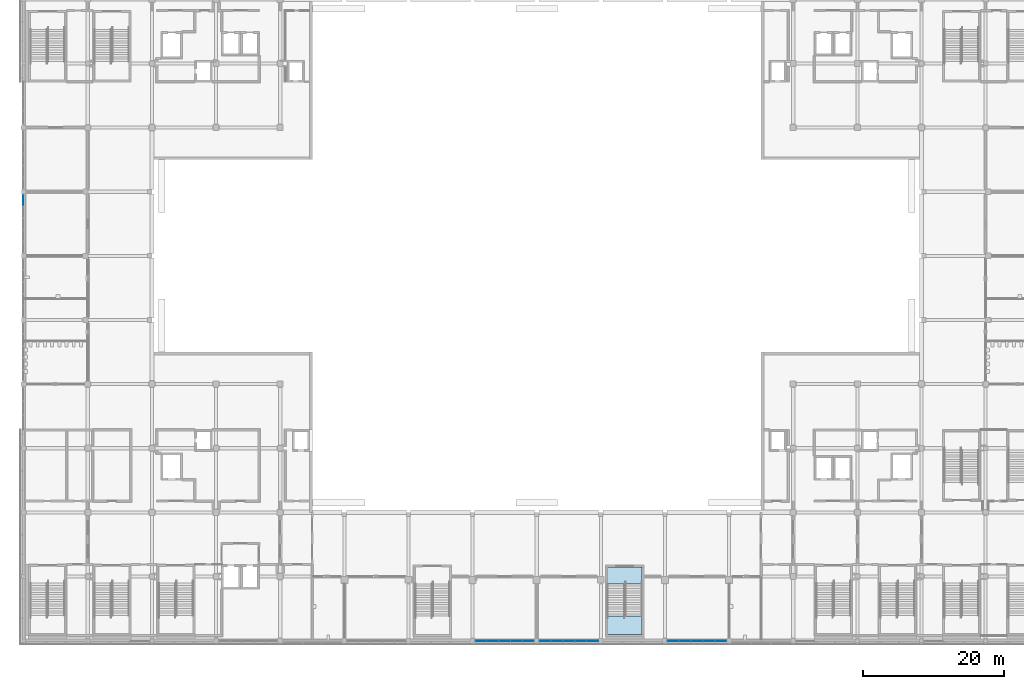
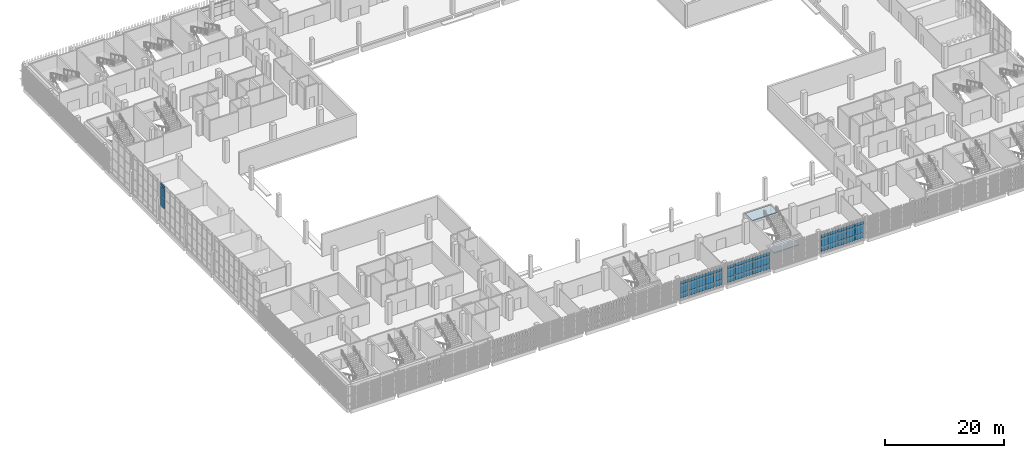
# One storey, part 65 of 126: 48 plates, 2 slabs, 5 elements without a shape of their own.
"""IFC4 building model written with IfcOpenShell, lengths in metres."""

from ifc_helpers import new_model, si_unit, direction, frame, origin, origin_2d, place, context, subcontext, project, spatial, polyline, rectangle, outline, extrude, material, layer, layer_set, type_object, element, aggregate, save


model = new_model("IFC4")

# Units and contexts
model_context = context("Model", 3, precision=1e-05, world=origin(), true_north=direction((0.0, 1.0)))
body_context = subcontext(model_context, "Body", "Model", "MODEL_VIEW")
ifc_project = project(units=[si_unit("LENGTHUNIT", "METRE"), si_unit("AREAUNIT", "SQUARE_METRE"), si_unit("VOLUMEUNIT", "CUBIC_METRE"), si_unit("PLANEANGLEUNIT", "RADIAN"), si_unit("MASSUNIT", "GRAM", prefix="KILO")], contexts=[model_context])

# Site, building, storey
site_placement = place(None, origin())
site = spatial("IfcSite", under=ifc_project, at=site_placement, CompositionType="ELEMENT")
building_placement = place(site_placement, origin())
building = spatial("IfcBuilding", under=site, at=building_placement, Name="Shirokan Park Arena", CompositionType="ELEMENT")
storey_placement = place(building_placement, frame((0.0, 0.0, 6.3701171875)))
storey = spatial("IfcBuildingStorey", under=building, at=storey_placement, Name="L01", CompositionType="ELEMENT", Elevation=6.3701171875)

# Curtain wall, plates
ifc_material_1 = material(Name="Steel and glass curtain wall", Category="steel")
ifc_layer_1 = layer(ifc_material_1, 0.14990234375)
ifc_layer_set_1 = layer_set([ifc_layer_1], Name="Steel and glass curtain wall 150 mm")
curtain_wall_type_1 = type_object("IfcCurtainWallType", Name="Curtain wall exposed bay 150", PredefinedType="NOTDEFINED", material=ifc_layer_set_1)
curtain_wall_1_placement = place(storey_placement, origin())
curtain_wall_1 = element("IfcCurtainWall", 1, at=curtain_wall_1_placement, inside=storey, type_object=curtain_wall_type_1, Name="Curtain wall south bay 8 L01", PredefinedType="NOTDEFINED")
ifc_material_2 = material(Name="Aluminium sheet", Category="aluminium")
ifc_layer_2 = layer(ifc_material_2, 0.0029296875, Name="Aluminium sheet")
ifc_material_3 = material(Name="Mineral wool insulation")
ifc_layer_3 = layer(ifc_material_3, 0.053955078125, Name="Mineral wool insulation")
ifc_layer_4 = layer(ifc_material_2, 0.0029296875, Name="Aluminium sheet")
ifc_layer_set_2 = layer_set([ifc_layer_2, ifc_layer_3, ifc_layer_4], Name="Aluminium sheet + Mineral wool insulation")
plate_type_1 = type_object("IfcPlateType", Name="Insulated spandrel panel 60", PredefinedType="CURTAIN_PANEL", material=ifc_layer_set_2)
plate_1_placement = place(storey_placement, frame((64.907470703125, -0.074951171875, 2.86962890625), z_axis=(0.0, 0.0, 1.0), x_axis=(1.0, 0.0, 0.0)))
plate_1 = element("IfcPlate", 2, at=plate_1_placement, type_object=plate_type_1, Name="CW1 panel 1.3", PredefinedType="CURTAIN_PANEL", context=body_context, shape_type="SweptSolid", body=[
    extrude(rectangle(XDim=1.56494140625, YDim=0.06005859375, at=origin_2d()), origin(), (0.0, 0.0, 1.0), 0.590087890625),
])
plate_2_placement = place(storey_placement, frame((66.56005859375, -0.074951171875, 2.86962890625), z_axis=(0.0, 0.0, 1.0), x_axis=(1.0, 0.0, 0.0)))
plate_2 = element("IfcPlate", 3, at=plate_2_placement, type_object=plate_type_1, Name="CW1 panel 2.3", PredefinedType="CURTAIN_PANEL", context=body_context, shape_type="SweptSolid", body=[
    extrude(rectangle(XDim=1.639892578125, YDim=0.06005859375, at=origin_2d()), origin(), (0.0, 0.0, 1.0), 0.590087890625),
])
plate_3_placement = place(storey_placement, frame((68.25, -0.074951171875, 2.86962890625), z_axis=(0.0, 0.0, 1.0), x_axis=(1.0, 0.0, 0.0)))
plate_3 = element("IfcPlate", 4, at=plate_3_placement, type_object=plate_type_1, Name="CW1 panel 3.3", PredefinedType="CURTAIN_PANEL", context=body_context, shape_type="SweptSolid", body=[
    extrude(rectangle(XDim=1.639892578125, YDim=0.06005859375, at=origin_2d()), origin(), (0.0, 0.0, 1.0), 0.590087890625),
])
plate_4_placement = place(storey_placement, frame((69.93994140625, -0.074951171875, 2.86962890625), z_axis=(0.0, 0.0, 1.0), x_axis=(1.0, 0.0, 0.0)))
plate_4 = element("IfcPlate", 5, at=plate_4_placement, type_object=plate_type_1, Name="CW1 panel 4.3", PredefinedType="CURTAIN_PANEL", context=body_context, shape_type="SweptSolid", body=[
    extrude(rectangle(XDim=1.639892578125, YDim=0.06005859375, at=origin_2d()), origin(), (0.0, 0.0, 1.0), 0.590087890625),
])
plate_5_placement = place(storey_placement, frame((71.592529296875, -0.074951171875, 2.86962890625), z_axis=(0.0, 0.0, 1.0), x_axis=(1.0, 0.0, 0.0)))
plate_5 = element("IfcPlate", 6, at=plate_5_placement, type_object=plate_type_1, Name="CW1 panel 5.3", PredefinedType="CURTAIN_PANEL", context=body_context, shape_type="SweptSolid", body=[
    extrude(rectangle(XDim=1.56494140625, YDim=0.06005859375, at=origin_2d()), origin(), (0.0, 0.0, 1.0), 0.590087890625),
])

curtain_wall_2_placement = place(storey_placement, origin())
curtain_wall_2 = element("IfcCurtainWall", 7, at=curtain_wall_2_placement, inside=storey, type_object=curtain_wall_type_1, Name="Curtain wall south bay 9 L01", PredefinedType="NOTDEFINED")
plate_6_placement = place(storey_placement, frame((74.010009765625, -0.074951171875, 2.86962890625), z_axis=(0.0, 0.0, 1.0), x_axis=(1.0, 0.0, 0.0)))
plate_6 = element("IfcPlate", 8, at=plate_6_placement, type_object=plate_type_1, Name="CW1 panel 1.3", PredefinedType="CURTAIN_PANEL", context=body_context, shape_type="SweptSolid", body=[
    extrude(rectangle(XDim=1.570068359375, YDim=0.06005859375, at=origin_2d()), origin(), (0.0, 0.0, 1.0), 0.590087890625),
])
plate_7_placement = place(storey_placement, frame((75.66748046875, -0.074951171875, 2.86962890625), z_axis=(0.0, 0.0, 1.0), x_axis=(1.0, 0.0, 0.0)))
plate_7 = element("IfcPlate", 9, at=plate_7_placement, type_object=plate_type_1, Name="CW1 panel 2.3", PredefinedType="CURTAIN_PANEL", context=body_context, shape_type="SweptSolid", body=[
    extrude(rectangle(XDim=1.64501953125, YDim=0.06005859375, at=origin_2d()), origin(), (0.0, 0.0, 1.0), 0.590087890625),
])
plate_8_placement = place(storey_placement, frame((77.362548828125, -0.074951171875, 2.86962890625), z_axis=(0.0, 0.0, 1.0), x_axis=(1.0, 0.0, 0.0)))
plate_8 = element("IfcPlate", 10, at=plate_8_placement, type_object=plate_type_1, Name="CW1 panel 3.3", PredefinedType="CURTAIN_PANEL", context=body_context, shape_type="SweptSolid", body=[
    extrude(rectangle(XDim=1.64501953125, YDim=0.06005859375, at=origin_2d()), origin(), (0.0, 0.0, 1.0), 0.590087890625),
])
plate_9_placement = place(storey_placement, frame((79.0576171875, -0.074951171875, 2.86962890625), z_axis=(0.0, 0.0, 1.0), x_axis=(1.0, 0.0, 0.0)))
plate_9 = element("IfcPlate", 11, at=plate_9_placement, type_object=plate_type_1, Name="CW1 panel 4.3", PredefinedType="CURTAIN_PANEL", context=body_context, shape_type="SweptSolid", body=[
    extrude(rectangle(XDim=1.64501953125, YDim=0.06005859375, at=origin_2d()), origin(), (0.0, 0.0, 1.0), 0.590087890625),
])
plate_10_placement = place(storey_placement, frame((80.715087890625, -0.074951171875, 2.86962890625), z_axis=(0.0, 0.0, 1.0), x_axis=(1.0, 0.0, 0.0)))
plate_10 = element("IfcPlate", 12, at=plate_10_placement, type_object=plate_type_1, Name="CW1 panel 5.3", PredefinedType="CURTAIN_PANEL", context=body_context, shape_type="SweptSolid", body=[
    extrude(rectangle(XDim=1.570068359375, YDim=0.06005859375, at=origin_2d()), origin(), (0.0, 0.0, 1.0), 0.590087890625),
])

curtain_wall_3_placement = place(storey_placement, origin())
curtain_wall_3 = element("IfcCurtainWall", 13, at=curtain_wall_3_placement, inside=storey, type_object=curtain_wall_type_1, Name="Curtain wall south bay 11 L01", PredefinedType="NOTDEFINED")
plate_11_placement = place(storey_placement, frame((92.20751953125, -0.074951171875, 2.86962890625), z_axis=(0.0, 0.0, 1.0), x_axis=(1.0, 0.0, 0.0)))
plate_11 = element("IfcPlate", 14, at=plate_11_placement, type_object=plate_type_1, Name="CW1 panel 1.3", PredefinedType="CURTAIN_PANEL", context=body_context, shape_type="SweptSolid", body=[
    extrude(rectangle(XDim=1.56494140625, YDim=0.06005859375, at=origin_2d()), origin(), (0.0, 0.0, 1.0), 0.590087890625),
])
plate_12_placement = place(storey_placement, frame((93.860107421875, -0.074951171875, 2.86962890625), z_axis=(0.0, 0.0, 1.0), x_axis=(1.0, 0.0, 0.0)))
plate_12 = element("IfcPlate", 15, at=plate_12_placement, type_object=plate_type_1, Name="CW1 panel 2.3", PredefinedType="CURTAIN_PANEL", context=body_context, shape_type="SweptSolid", body=[
    extrude(rectangle(XDim=1.639892578125, YDim=0.06005859375, at=origin_2d()), origin(), (0.0, 0.0, 1.0), 0.590087890625),
])
plate_13_placement = place(storey_placement, frame((95.550048828125, -0.074951171875, 2.86962890625), z_axis=(0.0, 0.0, 1.0), x_axis=(1.0, 0.0, 0.0)))
plate_13 = element("IfcPlate", 16, at=plate_13_placement, type_object=plate_type_1, Name="CW1 panel 3.3", PredefinedType="CURTAIN_PANEL", context=body_context, shape_type="SweptSolid", body=[
    extrude(rectangle(XDim=1.639892578125, YDim=0.06005859375, at=origin_2d()), origin(), (0.0, 0.0, 1.0), 0.590087890625),
])
plate_14_placement = place(storey_placement, frame((97.239990234375, -0.074951171875, 2.86962890625), z_axis=(0.0, 0.0, 1.0), x_axis=(1.0, 0.0, 0.0)))
plate_14 = element("IfcPlate", 17, at=plate_14_placement, type_object=plate_type_1, Name="CW1 panel 4.3", PredefinedType="CURTAIN_PANEL", context=body_context, shape_type="SweptSolid", body=[
    extrude(rectangle(XDim=1.639892578125, YDim=0.06005859375, at=origin_2d()), origin(), (0.0, 0.0, 1.0), 0.590087890625),
])
plate_15_placement = place(storey_placement, frame((98.892578125, -0.074951171875, 2.86962890625), z_axis=(0.0, 0.0, 1.0), x_axis=(1.0, 0.0, 0.0)))
plate_15 = element("IfcPlate", 18, at=plate_15_placement, type_object=plate_type_1, Name="CW1 panel 5.3", PredefinedType="CURTAIN_PANEL", context=body_context, shape_type="SweptSolid", body=[
    extrude(rectangle(XDim=1.56494140625, YDim=0.06005859375, at=origin_2d()), origin(), (0.0, 0.0, 1.0), 0.590087890625),
])

# Plate
ifc_material_4 = material(Name="Toughened glass", Category="glass")
ifc_layer_5 = layer(ifc_material_4, 0.012939453125, Name="Toughened glass")
ifc_material_5 = material(Name="Interlayer film")
ifc_layer_6 = layer(ifc_material_5, 0.001953125, Name="Interlayer film")
ifc_layer_7 = layer(ifc_material_4, 0.012939453125, Name="Toughened glass")
ifc_layer_set_3 = layer_set([ifc_layer_5, ifc_layer_6, ifc_layer_7], Name="Toughened glass + Interlayer film")
plate_type_2 = type_object("IfcPlateType", Name="Laminated glass panel 28", PredefinedType="CURTAIN_PANEL", material=ifc_layer_set_3)
plate_16_placement = place(storey_placement, frame((64.907470703125, -0.074951171875, 1.119873046875), z_axis=(0.0, 0.0, 1.0), x_axis=(1.0, 0.0, 0.0)))
plate_16 = element("IfcPlate", 19, at=plate_16_placement, type_object=plate_type_2, Name="CW1 panel 1.2", PredefinedType="CURTAIN_PANEL", context=body_context, shape_type="SweptSolid", body=[
    extrude(rectangle(XDim=1.56494140625, YDim=0.028076171875, at=origin_2d()), origin(), (0.0, 0.0, 1.0), 1.7099609375),
])

plate_17_placement = place(storey_placement, frame((66.56005859375, -0.074951171875, 1.119873046875), z_axis=(0.0, 0.0, 1.0), x_axis=(1.0, 0.0, 0.0)))
plate_17 = element("IfcPlate", 20, at=plate_17_placement, type_object=plate_type_2, Name="CW1 panel 2.2", PredefinedType="CURTAIN_PANEL", context=body_context, shape_type="SweptSolid", body=[
    extrude(rectangle(XDim=1.639892578125, YDim=0.028076171875, at=origin_2d()), origin(), (0.0, 0.0, 1.0), 1.7099609375),
])

plate_18_placement = place(storey_placement, frame((68.25, -0.074951171875, 1.119873046875), z_axis=(0.0, 0.0, 1.0), x_axis=(1.0, 0.0, 0.0)))
plate_18 = element("IfcPlate", 21, at=plate_18_placement, type_object=plate_type_2, Name="CW1 panel 3.2", PredefinedType="CURTAIN_PANEL", context=body_context, shape_type="SweptSolid", body=[
    extrude(rectangle(XDim=1.639892578125, YDim=0.028076171875, at=origin_2d()), origin(), (0.0, 0.0, 1.0), 1.7099609375),
])

plate_19_placement = place(storey_placement, frame((69.93994140625, -0.074951171875, 1.119873046875), z_axis=(0.0, 0.0, 1.0), x_axis=(1.0, 0.0, 0.0)))
plate_19 = element("IfcPlate", 22, at=plate_19_placement, type_object=plate_type_2, Name="CW1 panel 4.2", PredefinedType="CURTAIN_PANEL", context=body_context, shape_type="SweptSolid", body=[
    extrude(rectangle(XDim=1.639892578125, YDim=0.028076171875, at=origin_2d()), origin(), (0.0, 0.0, 1.0), 1.7099609375),
])

plate_20_placement = place(storey_placement, frame((71.592529296875, -0.074951171875, 1.119873046875), z_axis=(0.0, 0.0, 1.0), x_axis=(1.0, 0.0, 0.0)))
plate_20 = element("IfcPlate", 23, at=plate_20_placement, type_object=plate_type_2, Name="CW1 panel 5.2", PredefinedType="CURTAIN_PANEL", context=body_context, shape_type="SweptSolid", body=[
    extrude(rectangle(XDim=1.56494140625, YDim=0.028076171875, at=origin_2d()), origin(), (0.0, 0.0, 1.0), 1.7099609375),
])

plate_21_placement = place(storey_placement, frame((74.010009765625, -0.074951171875, 1.119873046875), z_axis=(0.0, 0.0, 1.0), x_axis=(1.0, 0.0, 0.0)))
plate_21 = element("IfcPlate", 24, at=plate_21_placement, type_object=plate_type_2, Name="CW1 panel 1.2", PredefinedType="CURTAIN_PANEL", context=body_context, shape_type="SweptSolid", body=[
    extrude(rectangle(XDim=1.570068359375, YDim=0.028076171875, at=origin_2d()), origin(), (0.0, 0.0, 1.0), 1.7099609375),
])

plate_22_placement = place(storey_placement, frame((75.66748046875, -0.074951171875, 1.119873046875), z_axis=(0.0, 0.0, 1.0), x_axis=(1.0, 0.0, 0.0)))
plate_22 = element("IfcPlate", 25, at=plate_22_placement, type_object=plate_type_2, Name="CW1 panel 2.2", PredefinedType="CURTAIN_PANEL", context=body_context, shape_type="SweptSolid", body=[
    extrude(rectangle(XDim=1.64501953125, YDim=0.028076171875, at=origin_2d()), origin(), (0.0, 0.0, 1.0), 1.7099609375),
])

plate_23_placement = place(storey_placement, frame((77.362548828125, -0.074951171875, 1.119873046875), z_axis=(0.0, 0.0, 1.0), x_axis=(1.0, 0.0, 0.0)))
plate_23 = element("IfcPlate", 26, at=plate_23_placement, type_object=plate_type_2, Name="CW1 panel 3.2", PredefinedType="CURTAIN_PANEL", context=body_context, shape_type="SweptSolid", body=[
    extrude(rectangle(XDim=1.64501953125, YDim=0.028076171875, at=origin_2d()), origin(), (0.0, 0.0, 1.0), 1.7099609375),
])

plate_24_placement = place(storey_placement, frame((79.0576171875, -0.074951171875, 1.119873046875), z_axis=(0.0, 0.0, 1.0), x_axis=(1.0, 0.0, 0.0)))
plate_24 = element("IfcPlate", 27, at=plate_24_placement, type_object=plate_type_2, Name="CW1 panel 4.2", PredefinedType="CURTAIN_PANEL", context=body_context, shape_type="SweptSolid", body=[
    extrude(rectangle(XDim=1.64501953125, YDim=0.028076171875, at=origin_2d()), origin(), (0.0, 0.0, 1.0), 1.7099609375),
])

plate_25_placement = place(storey_placement, frame((80.715087890625, -0.074951171875, 1.119873046875), z_axis=(0.0, 0.0, 1.0), x_axis=(1.0, 0.0, 0.0)))
plate_25 = element("IfcPlate", 28, at=plate_25_placement, type_object=plate_type_2, Name="CW1 panel 5.2", PredefinedType="CURTAIN_PANEL", context=body_context, shape_type="SweptSolid", body=[
    extrude(rectangle(XDim=1.570068359375, YDim=0.028076171875, at=origin_2d()), origin(), (0.0, 0.0, 1.0), 1.7099609375),
])

plate_26_placement = place(storey_placement, frame((92.20751953125, -0.074951171875, 1.119873046875), z_axis=(0.0, 0.0, 1.0), x_axis=(1.0, 0.0, 0.0)))
plate_26 = element("IfcPlate", 29, at=plate_26_placement, type_object=plate_type_2, Name="CW1 panel 1.2", PredefinedType="CURTAIN_PANEL", context=body_context, shape_type="SweptSolid", body=[
    extrude(rectangle(XDim=1.56494140625, YDim=0.028076171875, at=origin_2d()), origin(), (0.0, 0.0, 1.0), 1.7099609375),
])

plate_27_placement = place(storey_placement, frame((93.860107421875, -0.074951171875, 1.119873046875), z_axis=(0.0, 0.0, 1.0), x_axis=(1.0, 0.0, 0.0)))
plate_27 = element("IfcPlate", 30, at=plate_27_placement, type_object=plate_type_2, Name="CW1 panel 2.2", PredefinedType="CURTAIN_PANEL", context=body_context, shape_type="SweptSolid", body=[
    extrude(rectangle(XDim=1.639892578125, YDim=0.028076171875, at=origin_2d()), origin(), (0.0, 0.0, 1.0), 1.7099609375),
])

plate_28_placement = place(storey_placement, frame((95.550048828125, -0.074951171875, 1.119873046875), z_axis=(0.0, 0.0, 1.0), x_axis=(1.0, 0.0, 0.0)))
plate_28 = element("IfcPlate", 31, at=plate_28_placement, type_object=plate_type_2, Name="CW1 panel 3.2", PredefinedType="CURTAIN_PANEL", context=body_context, shape_type="SweptSolid", body=[
    extrude(rectangle(XDim=1.639892578125, YDim=0.028076171875, at=origin_2d()), origin(), (0.0, 0.0, 1.0), 1.7099609375),
])

plate_29_placement = place(storey_placement, frame((97.239990234375, -0.074951171875, 1.119873046875), z_axis=(0.0, 0.0, 1.0), x_axis=(1.0, 0.0, 0.0)))
plate_29 = element("IfcPlate", 32, at=plate_29_placement, type_object=plate_type_2, Name="CW1 panel 4.2", PredefinedType="CURTAIN_PANEL", context=body_context, shape_type="SweptSolid", body=[
    extrude(rectangle(XDim=1.639892578125, YDim=0.028076171875, at=origin_2d()), origin(), (0.0, 0.0, 1.0), 1.7099609375),
])

plate_30_placement = place(storey_placement, frame((98.892578125, -0.074951171875, 1.119873046875), z_axis=(0.0, 0.0, 1.0), x_axis=(1.0, 0.0, 0.0)))
plate_30 = element("IfcPlate", 33, at=plate_30_placement, type_object=plate_type_2, Name="CW1 panel 5.2", PredefinedType="CURTAIN_PANEL", context=body_context, shape_type="SweptSolid", body=[
    extrude(rectangle(XDim=1.56494140625, YDim=0.028076171875, at=origin_2d()), origin(), (0.0, 0.0, 1.0), 1.7099609375),
])

# Curtain wall, plates
ifc_layer_8 = layer(ifc_material_1, 0.199951171875)
ifc_layer_set_4 = layer_set([ifc_layer_8], Name="Steel and glass curtain wall 200 mm")
curtain_wall_type_2 = type_object("IfcCurtainWallType", Name="Curtain wall hall bay 200", PredefinedType="NOTDEFINED", material=ifc_layer_set_4)
curtain_wall_4_placement = place(storey_placement, origin())
curtain_wall_4 = element("IfcCurtainWall", 34, at=curtain_wall_4_placement, inside=storey, type_object=curtain_wall_type_2, Name="Curtain wall west bay 6 L01", PredefinedType="NOTDEFINED")
plate_31_placement = place(storey_placement, frame((-0.050048828125, 62.47998046875, 3.219970703125), z_axis=(0.0, 0.0, 1.0), x_axis=(0.0, -1.0, 0.0)))
plate_31 = element("IfcPlate", 35, at=plate_31_placement, type_object=plate_type_2, Name="CW5 panel 1.3", PredefinedType="CURTAIN_PANEL", context=body_context, shape_type="SweptSolid", body=[
    extrude(rectangle(XDim=1.389892578125, YDim=0.028076171875, at=origin_2d()), origin(), (0.0, 0.0, 1.0), 2.06005859375),
])
plate_32_placement = place(storey_placement, frame((-0.050048828125, 62.47998046875, 5.31982421875), z_axis=(0.0, 0.0, 1.0), x_axis=(0.0, -1.0, 0.0)))
plate_32 = element("IfcPlate", 36, at=plate_32_placement, type_object=plate_type_2, Name="CW5 panel 1.4", PredefinedType="CURTAIN_PANEL", context=body_context, shape_type="SweptSolid", body=[
    extrude(rectangle(XDim=1.389892578125, YDim=0.028076171875, at=origin_2d()), origin(), (0.0, 0.0, 1.0), 2.06005859375),
])
plate_33_placement = place(storey_placement, frame((-0.050048828125, 62.47998046875, 7.419921875), z_axis=(0.0, 0.0, 1.0), x_axis=(0.0, -1.0, 0.0)))
plate_33 = element("IfcPlate", 37, at=plate_33_placement, type_object=plate_type_2, Name="CW5 panel 1.5", PredefinedType="CURTAIN_PANEL", context=body_context, shape_type="SweptSolid", body=[
    extrude(rectangle(XDim=1.389892578125, YDim=0.028076171875, at=origin_2d()), origin(), (0.0, 0.0, 1.0), 0.590087890625),
])
aggregate(curtain_wall_4, [plate_31, plate_32, plate_33])

# Plate
ifc_layer_9 = layer(ifc_material_4, 0.01708984375, Name="Toughened glass")
ifc_layer_10 = layer(ifc_material_5, 0.001953125, Name="Interlayer film")
ifc_layer_11 = layer(ifc_material_4, 0.01708984375, Name="Toughened glass")
ifc_layer_set_5 = layer_set([ifc_layer_9, ifc_layer_10, ifc_layer_11], Name="Toughened glass + Interlayer film")
plate_type_3 = type_object("IfcPlateType", Name="Laminated safety glass panel 36", PredefinedType="CURTAIN_PANEL", material=ifc_layer_set_5)
plate_34_placement = place(storey_placement, frame((64.907470703125, -0.074951171875, 0.039794921875), z_axis=(0.0, 0.0, 1.0), x_axis=(1.0, 0.0, 0.0)))
plate_34 = element("IfcPlate", 38, at=plate_34_placement, type_object=plate_type_3, Name="CW1 panel 1.1", PredefinedType="CURTAIN_PANEL", context=body_context, shape_type="SweptSolid", body=[
    extrude(rectangle(XDim=1.56494140625, YDim=0.035888671875, at=origin_2d()), origin(), (0.0, 0.0, 1.0), 1.0400390625),
])

plate_35_placement = place(storey_placement, frame((66.56005859375, -0.074951171875, 0.039794921875), z_axis=(0.0, 0.0, 1.0), x_axis=(1.0, 0.0, 0.0)))
plate_35 = element("IfcPlate", 39, at=plate_35_placement, type_object=plate_type_3, Name="CW1 panel 2.1", PredefinedType="CURTAIN_PANEL", context=body_context, shape_type="SweptSolid", body=[
    extrude(rectangle(XDim=1.639892578125, YDim=0.035888671875, at=origin_2d()), origin(), (0.0, 0.0, 1.0), 1.0400390625),
])

plate_36_placement = place(storey_placement, frame((68.25, -0.074951171875, 0.039794921875), z_axis=(0.0, 0.0, 1.0), x_axis=(1.0, 0.0, 0.0)))
plate_36 = element("IfcPlate", 40, at=plate_36_placement, type_object=plate_type_3, Name="CW1 panel 3.1", PredefinedType="CURTAIN_PANEL", context=body_context, shape_type="SweptSolid", body=[
    extrude(rectangle(XDim=1.639892578125, YDim=0.035888671875, at=origin_2d()), origin(), (0.0, 0.0, 1.0), 1.0400390625),
])

plate_37_placement = place(storey_placement, frame((69.93994140625, -0.074951171875, 0.039794921875), z_axis=(0.0, 0.0, 1.0), x_axis=(1.0, 0.0, 0.0)))
plate_37 = element("IfcPlate", 41, at=plate_37_placement, type_object=plate_type_3, Name="CW1 panel 4.1", PredefinedType="CURTAIN_PANEL", context=body_context, shape_type="SweptSolid", body=[
    extrude(rectangle(XDim=1.639892578125, YDim=0.035888671875, at=origin_2d()), origin(), (0.0, 0.0, 1.0), 1.0400390625),
])

plate_38_placement = place(storey_placement, frame((71.592529296875, -0.074951171875, 0.039794921875), z_axis=(0.0, 0.0, 1.0), x_axis=(1.0, 0.0, 0.0)))
plate_38 = element("IfcPlate", 42, at=plate_38_placement, type_object=plate_type_3, Name="CW1 panel 5.1", PredefinedType="CURTAIN_PANEL", context=body_context, shape_type="SweptSolid", body=[
    extrude(rectangle(XDim=1.56494140625, YDim=0.035888671875, at=origin_2d()), origin(), (0.0, 0.0, 1.0), 1.0400390625),
])

aggregate(curtain_wall_1, [plate_34, plate_16, plate_1, plate_35, plate_17, plate_2, plate_36, plate_18, plate_3, plate_37, plate_19, plate_4, plate_38, plate_20, plate_5])

plate_39_placement = place(storey_placement, frame((74.010009765625, -0.074951171875, 0.039794921875), z_axis=(0.0, 0.0, 1.0), x_axis=(1.0, 0.0, 0.0)))
plate_39 = element("IfcPlate", 43, at=plate_39_placement, type_object=plate_type_3, Name="CW1 panel 1.1", PredefinedType="CURTAIN_PANEL", context=body_context, shape_type="SweptSolid", body=[
    extrude(rectangle(XDim=1.570068359375, YDim=0.035888671875, at=origin_2d()), origin(), (0.0, 0.0, 1.0), 1.0400390625),
])

plate_40_placement = place(storey_placement, frame((75.66748046875, -0.074951171875, 0.039794921875), z_axis=(0.0, 0.0, 1.0), x_axis=(1.0, 0.0, 0.0)))
plate_40 = element("IfcPlate", 44, at=plate_40_placement, type_object=plate_type_3, Name="CW1 panel 2.1", PredefinedType="CURTAIN_PANEL", context=body_context, shape_type="SweptSolid", body=[
    extrude(rectangle(XDim=1.64501953125, YDim=0.035888671875, at=origin_2d()), origin(), (0.0, 0.0, 1.0), 1.0400390625),
])

plate_41_placement = place(storey_placement, frame((77.362548828125, -0.074951171875, 0.039794921875), z_axis=(0.0, 0.0, 1.0), x_axis=(1.0, 0.0, 0.0)))
plate_41 = element("IfcPlate", 45, at=plate_41_placement, type_object=plate_type_3, Name="CW1 panel 3.1", PredefinedType="CURTAIN_PANEL", context=body_context, shape_type="SweptSolid", body=[
    extrude(rectangle(XDim=1.64501953125, YDim=0.035888671875, at=origin_2d()), origin(), (0.0, 0.0, 1.0), 1.0400390625),
])

plate_42_placement = place(storey_placement, frame((79.0576171875, -0.074951171875, 0.039794921875), z_axis=(0.0, 0.0, 1.0), x_axis=(1.0, 0.0, 0.0)))
plate_42 = element("IfcPlate", 46, at=plate_42_placement, type_object=plate_type_3, Name="CW1 panel 4.1", PredefinedType="CURTAIN_PANEL", context=body_context, shape_type="SweptSolid", body=[
    extrude(rectangle(XDim=1.64501953125, YDim=0.035888671875, at=origin_2d()), origin(), (0.0, 0.0, 1.0), 1.0400390625),
])

plate_43_placement = place(storey_placement, frame((80.715087890625, -0.074951171875, 0.039794921875), z_axis=(0.0, 0.0, 1.0), x_axis=(1.0, 0.0, 0.0)))
plate_43 = element("IfcPlate", 47, at=plate_43_placement, type_object=plate_type_3, Name="CW1 panel 5.1", PredefinedType="CURTAIN_PANEL", context=body_context, shape_type="SweptSolid", body=[
    extrude(rectangle(XDim=1.570068359375, YDim=0.035888671875, at=origin_2d()), origin(), (0.0, 0.0, 1.0), 1.0400390625),
])

aggregate(curtain_wall_2, [plate_39, plate_21, plate_6, plate_40, plate_22, plate_7, plate_41, plate_23, plate_8, plate_42, plate_24, plate_9, plate_43, plate_25, plate_10])

plate_44_placement = place(storey_placement, frame((92.20751953125, -0.074951171875, 0.039794921875), z_axis=(0.0, 0.0, 1.0), x_axis=(1.0, 0.0, 0.0)))
plate_44 = element("IfcPlate", 48, at=plate_44_placement, type_object=plate_type_3, Name="CW1 panel 1.1", PredefinedType="CURTAIN_PANEL", context=body_context, shape_type="SweptSolid", body=[
    extrude(rectangle(XDim=1.56494140625, YDim=0.035888671875, at=origin_2d()), origin(), (0.0, 0.0, 1.0), 1.0400390625),
])

plate_45_placement = place(storey_placement, frame((93.860107421875, -0.074951171875, 0.039794921875), z_axis=(0.0, 0.0, 1.0), x_axis=(1.0, 0.0, 0.0)))
plate_45 = element("IfcPlate", 49, at=plate_45_placement, type_object=plate_type_3, Name="CW1 panel 2.1", PredefinedType="CURTAIN_PANEL", context=body_context, shape_type="SweptSolid", body=[
    extrude(rectangle(XDim=1.639892578125, YDim=0.035888671875, at=origin_2d()), origin(), (0.0, 0.0, 1.0), 1.0400390625),
])

plate_46_placement = place(storey_placement, frame((95.550048828125, -0.074951171875, 0.039794921875), z_axis=(0.0, 0.0, 1.0), x_axis=(1.0, 0.0, 0.0)))
plate_46 = element("IfcPlate", 50, at=plate_46_placement, type_object=plate_type_3, Name="CW1 panel 3.1", PredefinedType="CURTAIN_PANEL", context=body_context, shape_type="SweptSolid", body=[
    extrude(rectangle(XDim=1.639892578125, YDim=0.035888671875, at=origin_2d()), origin(), (0.0, 0.0, 1.0), 1.0400390625),
])

plate_47_placement = place(storey_placement, frame((97.239990234375, -0.074951171875, 0.039794921875), z_axis=(0.0, 0.0, 1.0), x_axis=(1.0, 0.0, 0.0)))
plate_47 = element("IfcPlate", 51, at=plate_47_placement, type_object=plate_type_3, Name="CW1 panel 4.1", PredefinedType="CURTAIN_PANEL", context=body_context, shape_type="SweptSolid", body=[
    extrude(rectangle(XDim=1.639892578125, YDim=0.035888671875, at=origin_2d()), origin(), (0.0, 0.0, 1.0), 1.0400390625),
])

plate_48_placement = place(storey_placement, frame((98.892578125, -0.074951171875, 0.039794921875), z_axis=(0.0, 0.0, 1.0), x_axis=(1.0, 0.0, 0.0)))
plate_48 = element("IfcPlate", 52, at=plate_48_placement, type_object=plate_type_3, Name="CW1 panel 5.1", PredefinedType="CURTAIN_PANEL", context=body_context, shape_type="SweptSolid", body=[
    extrude(rectangle(XDim=1.56494140625, YDim=0.035888671875, at=origin_2d()), origin(), (0.0, 0.0, 1.0), 1.0400390625),
])

aggregate(curtain_wall_3, [plate_44, plate_26, plate_11, plate_45, plate_27, plate_12, plate_46, plate_28, plate_13, plate_47, plate_29, plate_14, plate_48, plate_30, plate_15])

# Stair, slabs
ifc_material_6 = material(Name="Concrete C30 precast", Category="concrete")
stair_type = type_object("IfcStairType", Name="Stair 30 risers 152 x 327 2400 wide", PredefinedType="TWO_STRAIGHT_RUN_STAIR", material=ifc_material_6)
stair_placement = place(storey_placement, origin())
stair = element("IfcStair", 53, at=stair_placement, inside=storey, type_object=stair_type, Name="Entrance Stair E1.2 L01 to L02", PredefinedType="TWO_STRAIGHT_RUN_STAIR")
ifc_layer_12 = layer(ifc_material_6, 0.199951171875)
ifc_layer_set_6 = layer_set([ifc_layer_12], Name="Concrete C30 precast 200 mm")
slab_type = type_object("IfcSlabType", Name="Stair landing 200", PredefinedType="LANDING", material=ifc_layer_set_6)
slab_1_placement = place(storey_placement, frame((0.0, 0.0, 2.074951171875)))
slab_1 = element("IfcSlab", 54, at=slab_1_placement, type_object=slab_type, Name="ST25.2 landing 1", PredefinedType="LANDING", context=body_context, shape_type="SweptSolid", body=[
    extrude(outline(polyline([(82.85009765625, 0.85009765625), (87.75, 0.85009765625), (87.75, 3.476318359375), (82.85009765625, 3.476318359375), (82.85009765625, 0.85009765625)])), origin(), (0.0, 0.0, 1.0), 0.199951171875),
])
slab_2_placement = place(storey_placement, frame((0.0, 0.0, 4.349853515625)))
slab_2 = element("IfcSlab", 55, at=slab_2_placement, type_object=slab_type, Name="ST25.2 landing 2", PredefinedType="LANDING", context=body_context, shape_type="SweptSolid", body=[
    extrude(outline(polyline([(82.85009765625, 8.050048828125), (87.75, 8.050048828125), (87.75, 10.449951171875), (82.85009765625, 10.449951171875), (82.85009765625, 8.050048828125)])), origin(), (0.0, 0.0, 1.0), 0.199951171875),
])
aggregate(stair, [slab_1, slab_2])

save(model, "model.ifc")
